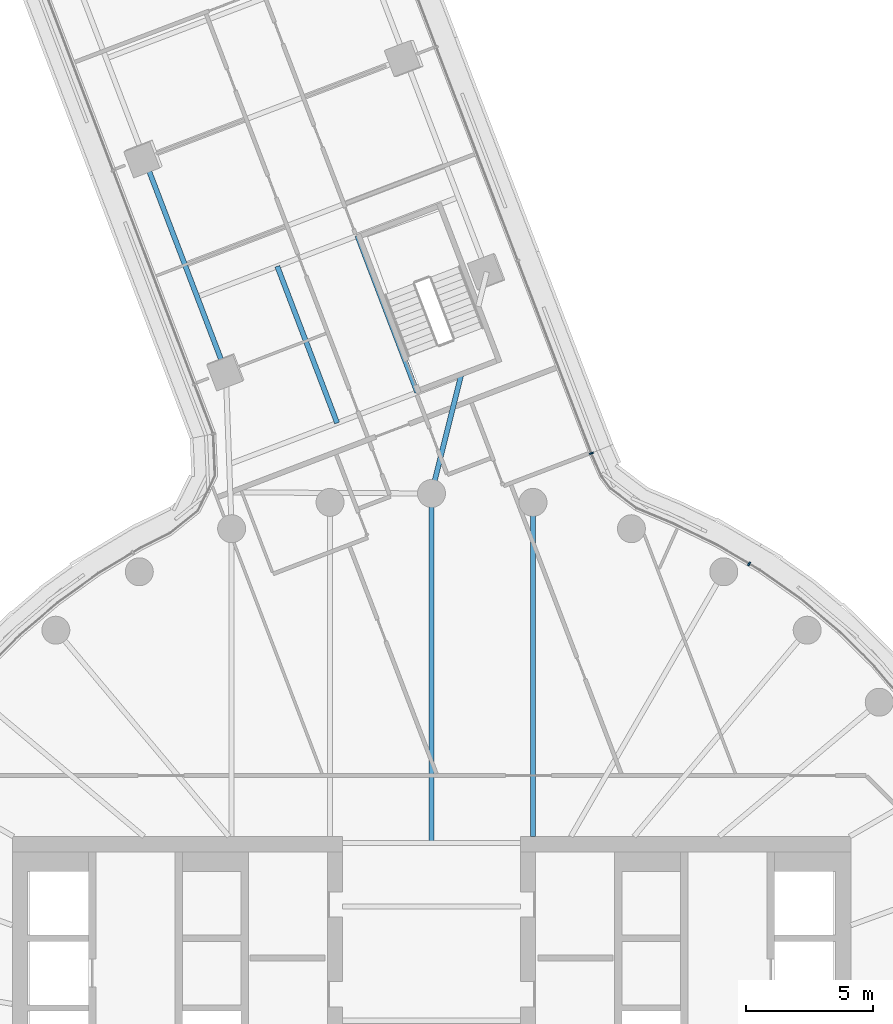
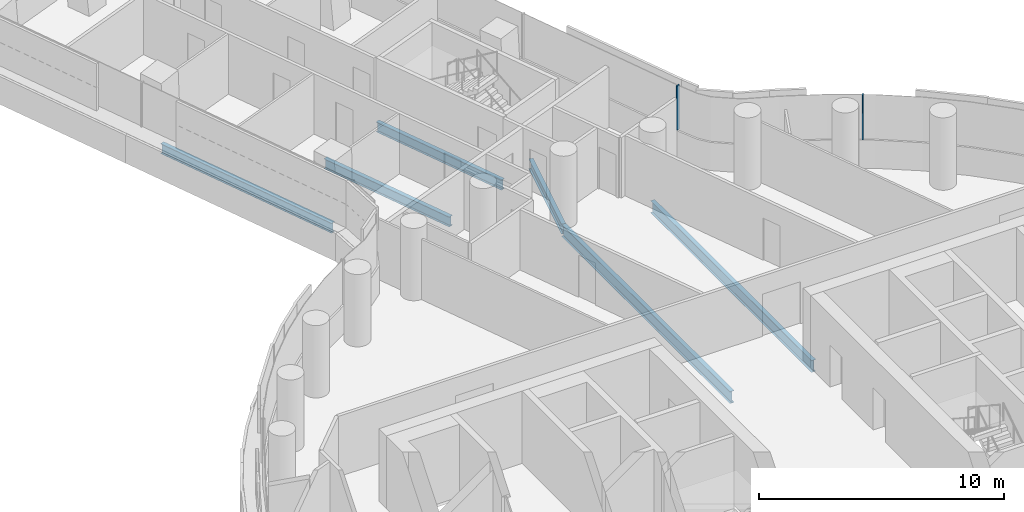
# One storey, part 14 of 32: 6 beams, 2 members, 2 elements without a shape of their own.
"""IFC4 building model written with IfcOpenShell, lengths in metres."""

from ifc_helpers import new_model, si_unit, direction, frame, origin, origin_2d, place, context, subcontext, project, spatial, rectangle, i_section, extrude, material, layer, layer_set, material_profile, profile_set, type_object, element, aggregate, save


model = new_model("IFC4")

# Units and contexts
model_context = context("Model", 3, precision=1e-05, world=origin(), true_north=direction((0.0, 1.0)))
body_context = subcontext(model_context, "Body", "Model", "MODEL_VIEW")
ifc_project = project(units=[si_unit("LENGTHUNIT", "METRE"), si_unit("AREAUNIT", "SQUARE_METRE"), si_unit("VOLUMEUNIT", "CUBIC_METRE"), si_unit("PLANEANGLEUNIT", "RADIAN"), si_unit("MASSUNIT", "GRAM", prefix="KILO")], contexts=[model_context])

# Site, building, storey
site_placement = place(None, origin())
site = spatial("IfcSite", under=ifc_project, at=site_placement, CompositionType="ELEMENT")
building_placement = place(site_placement, origin())
building = spatial("IfcBuilding", under=site, at=building_placement, Name="Tamarind Cross Interchange Tower", CompositionType="ELEMENT")
storey_placement = place(building_placement, frame((0.0, 0.0, 109.75)))
storey = spatial("IfcBuildingStorey", under=building, at=storey_placement, Name="L26", CompositionType="ELEMENT", Elevation=109.75)

# Beams
ifc_material_1 = material(Name="Steel Q355B", Category="steel")
ifc_material_profile_1 = material_profile(ifc_material_1, i_section(OverallWidth=0.198974609375, OverallDepth=0.49609375, WebThickness=0.009033203125, FlangeThickness=0.013916015625, FilletRadius=0.012939453125, at=origin_2d()), Name="HN 496x199x9x14")
ifc_profile_set_1 = profile_set([ifc_material_profile_1], Name="Steel Q355B")
beam_type_1 = type_object("IfcBeamType", Name="Composite beam HN 496x199x9x14 Q355B", PredefinedType="BEAM", material=ifc_profile_set_1)
beam_1_placement = place(storey_placement, frame((-11.30859375, 36.200439453125, -0.387939453125), z_axis=(0.356667558645, -0.934231369956, 0.0), x_axis=(0.934231369956, 0.356667558645, 0.0)))
element("IfcBeam", 1, at=beam_1_placement, inside=storey, type_object=beam_type_1, Name="Beam N-edgeep3", PredefinedType="BEAM", context=body_context, shape_type="SweptSolid", body=[
    extrude(i_section(OverallWidth=0.198974609375, OverallDepth=0.49609375, WebThickness=0.009033203125, FlangeThickness=0.013916015625, FilletRadius=0.012939453125, at=origin_2d()), origin(), (0.0, 0.0, 1.0), 8.999755859375),
])
beam_2_placement = place(storey_placement, frame((1.172607421875, 27.692626953125, -0.387939453125), z_axis=(-0.242428736514, -0.97016921602, 0.0), x_axis=(0.97016921602, -0.242428736514, 0.0)))
element("IfcBeam", 2, at=beam_2_placement, inside=storey, type_object=beam_type_1, Name="Beam N-linkemt1", PredefinedType="BEAM", context=body_context, shape_type="SweptSolid", body=[
    extrude(i_section(OverallWidth=0.198974609375, OverallDepth=0.49609375, WebThickness=0.009033203125, FlangeThickness=0.013916015625, FilletRadius=0.012939453125, at=origin_2d()), origin(), (0.0, 0.0, 1.0), 4.8369140625),
])
beam_3_placement = place(storey_placement, frame((-0.56201171875, 26.976806640625, -0.387939453125), z_axis=(-0.356662824508, 0.934233177325, 0.0), x_axis=(-0.934233177325, -0.356662824508, 0.0)))
element("IfcBeam", 3, at=beam_3_placement, inside=storey, type_object=beam_type_1, Name="Beam N-tr1", PredefinedType="BEAM", context=body_context, shape_type="SweptSolid", body=[
    extrude(i_section(OverallWidth=0.198974609375, OverallDepth=0.49609375, WebThickness=0.009033203125, FlangeThickness=0.013916015625, FilletRadius=0.012939453125, at=origin_2d()), origin(), (0.0, 0.0, 1.0), 6.60009765625),
])
beam_4_placement = place(storey_placement, frame((-3.715087890625, 25.773193359375, -0.387939453125), z_axis=(-0.356675150383, 0.934228471574, 0.0), x_axis=(-0.934228471574, -0.356675150383, 0.0)))
element("IfcBeam", 4, at=beam_4_placement, inside=storey, type_object=beam_type_1, Name="Beam N-stripp", PredefinedType="BEAM", context=body_context, shape_type="SweptSolid", body=[
    extrude(i_section(OverallWidth=0.198974609375, OverallDepth=0.49609375, WebThickness=0.009033203125, FlangeThickness=0.013916015625, FilletRadius=0.012939453125, at=origin_2d()), origin(), (0.0, 0.0, 1.0), 6.599853515625),
])
ifc_material_profile_2 = material_profile(ifc_material_1, i_section(OverallWidth=0.198974609375, OverallDepth=0.595947265625, WebThickness=0.010009765625, FlangeThickness=0.014892578125, FilletRadius=0.012939453125, at=origin_2d()), Name="HN 596x199x10x15")
ifc_profile_set_2 = profile_set([ifc_material_profile_2], Name="Steel Q355B")
beam_type_2 = type_object("IfcBeamType", Name="Composite beam HN 596x199x10x15 Q355B", PredefinedType="BEAM", material=ifc_profile_set_2)
beam_5_placement = place(storey_placement, frame((3.993896484375, 22.650634765625, -0.43798828125), z_axis=(0.0, -1.0, 0.0), x_axis=(1.0, 0.0, 0.0)))
element("IfcBeam", 5, at=beam_5_placement, inside=storey, type_object=beam_type_2, Name="Beam HH08", PredefinedType="BEAM", context=body_context, shape_type="SweptSolid", body=[
    extrude(i_section(OverallWidth=0.198974609375, OverallDepth=0.595947265625, WebThickness=0.010009765625, FlangeThickness=0.014892578125, FilletRadius=0.012939453125, at=origin_2d()), origin(), (0.0, 0.0, 1.0), 13.150634765625),
])
beam_6_placement = place(storey_placement, frame((0.0, 23.0, -0.43798828125), z_axis=(0.0, -1.0, 0.0), x_axis=(1.0, 0.0, 0.0)))
element("IfcBeam", 6, at=beam_6_placement, inside=storey, type_object=beam_type_2, Name="Beam HH09", PredefinedType="BEAM", context=body_context, shape_type="SweptSolid", body=[
    extrude(i_section(OverallWidth=0.198974609375, OverallDepth=0.595947265625, WebThickness=0.010009765625, FlangeThickness=0.014892578125, FilletRadius=0.012939453125, at=origin_2d()), origin(), (0.0, 0.0, 1.0), 13.75),
])

# Curtain wall, member
ifc_material_2 = material(Name="Aluminium 6063-T6", Category="aluminium")
ifc_layer = layer(ifc_material_2, 0.159912109375)
ifc_layer_set = layer_set([ifc_layer], Name="Aluminium 6063-T6")
curtain_wall_type = type_object("IfcCurtainWallType", Name="Office curtain wall, 9.0 m bays", PredefinedType="NOTDEFINED", material=ifc_layer_set)
curtain_wall_1_placement = place(storey_placement, origin())
curtain_wall_1 = element("IfcCurtainWall", 7, at=curtain_wall_1_placement, inside=storey, type_object=curtain_wall_type, Name="CWS-L26-10", PredefinedType="NOTDEFINED")
ifc_material_profile_3 = material_profile(ifc_material_2, rectangle(XDim=0.06005859375, YDim=0.159912109375, at=origin_2d()), Name="Mullion CW1")
ifc_profile_set_3 = profile_set([ifc_material_profile_3], Name="Aluminium 6063-T6")
member_type = type_object("IfcMemberType", Name="Mullion CW1", PredefinedType="MULLION", material=ifc_profile_set_3)
member_1_placement = place(storey_placement, frame((12.49951171875, 20.23046875, 1.39990234375), z_axis=(0.0, 0.0, 1.0), x_axis=(-0.861248933065, 0.508183308752, 0.0)))
member_1 = element("IfcMember", 8, at=member_1_placement, type_object=member_type, Name="CWM-L26-10-02", PredefinedType="MULLION", context=body_context, shape_type="SweptSolid", body=[
    extrude(rectangle(XDim=0.06005859375, YDim=0.159912109375, at=origin_2d()), origin(), (0.0, 0.0, 1.0), 2.210205078125),
])
aggregate(curtain_wall_1, [member_1])

curtain_wall_2_placement = place(storey_placement, origin())
curtain_wall_2 = element("IfcCurtainWall", 9, at=curtain_wall_2_placement, inside=storey, type_object=curtain_wall_type, Name="CWS-L26-11", PredefinedType="NOTDEFINED")
member_2_placement = place(storey_placement, frame((6.293212890625, 24.5810546875, 1.39990234375), z_axis=(0.0, 0.0, 1.0), x_axis=(-0.380165480252, 0.924918487017, 0.0)))
member_2 = element("IfcMember", 10, at=member_2_placement, type_object=member_type, Name="CWM-L26-11-00", PredefinedType="MULLION", context=body_context, shape_type="SweptSolid", body=[
    extrude(rectangle(XDim=0.06005859375, YDim=0.159912109375, at=origin_2d()), origin(), (0.0, 0.0, 1.0), 2.210205078125),
])
aggregate(curtain_wall_2, [member_2])

save(model, "model.ifc")
